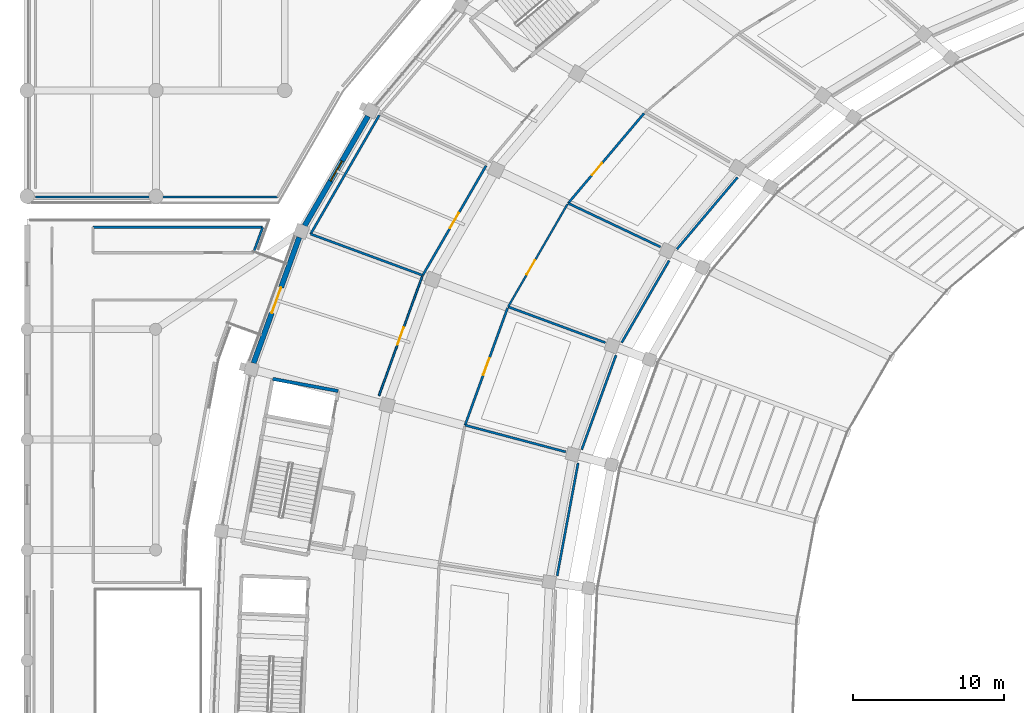
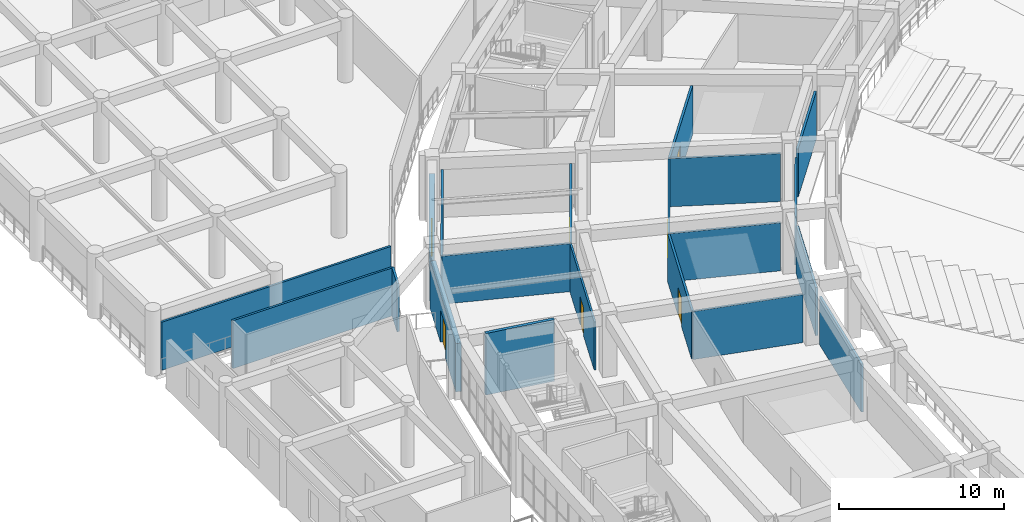
# One storey, part 101 of 152: 20 walls, 6 doors, 1 window, 7 openings.
"""IFC4 building model written with IfcOpenShell, lengths in metres."""

from ifc_helpers import new_model, si_unit, direction, frame, frame_2d, origin, place, context, subcontext, project, spatial, rectangle, extrude, material, layer, layer_set, type_object, element, fill, save


model = new_model("IFC4")

# Units and contexts
model_context = context("Model", 3, precision=1e-05, world=origin(), true_north=direction((0.0, 1.0)))
body_context = subcontext(model_context, "Body", "Model", "MODEL_VIEW")
ifc_project = project(units=[si_unit("LENGTHUNIT", "METRE"), si_unit("AREAUNIT", "SQUARE_METRE"), si_unit("VOLUMEUNIT", "CUBIC_METRE"), si_unit("PLANEANGLEUNIT", "RADIAN"), si_unit("MASSUNIT", "GRAM", prefix="KILO")], contexts=[model_context])

# Site, building, storey
site_placement = place(None, origin())
site = spatial("IfcSite", under=ifc_project, at=site_placement, CompositionType="ELEMENT")
building_placement = place(site_placement, origin())
building = spatial("IfcBuilding", under=site, at=building_placement, Name="Mphavela Belvedere Stadium", CompositionType="ELEMENT")
storey_placement = place(building_placement, frame((0.0, 0.0, 5.39990234375)))
storey = spatial("IfcBuildingStorey", under=building, at=storey_placement, Name="L01", CompositionType="ELEMENT", Elevation=5.39990234375)

# Wall
ifc_material_1 = material(Name="Concrete C40/50", Category="concrete")
ifc_layer_1 = layer(ifc_material_1, 0.219970703125)
ifc_layer_set_1 = layer_set([ifc_layer_1], Name="Concrete C40/50")
wall_type_1 = type_object("IfcWallType", Name="WAL-CORE-SHEAR-220", PredefinedType="SHEAR", material=ifc_layer_set_1)
wall_1_placement = place(storey_placement, frame((20.575927734375, 112.11474609375, 0.0), z_axis=(0.0, 0.0, 1.0), x_axis=(-0.983189729951, 0.18258684213, 0.0)))
element("IfcWall", 1, at=wall_1_placement, inside=storey, type_object=wall_type_1, Name="Core C06 shear wall L01 right", PredefinedType="SHEAR", context=body_context, shape_type="SweptSolid", body=[
    extrude(rectangle(XDim=4.409912109375, YDim=0.219970703125, at=frame_2d((2.205078125, 0.0))), origin(), (0.0, 0.0, 1.0), 4.550048828125),
])

# Wall, opening, window
ifc_material_2 = material(Name="Honed ashlar limestone masonry", Category="masonry")
ifc_layer_2 = layer(ifc_material_2, 0.35009765625)
ifc_layer_set_2 = layer_set([ifc_layer_2], Name="Honed ashlar limestone masonry")
wall_type_2 = type_object("IfcWallType", Name="WAL-EXT-ASHLAR-350", PredefinedType="STANDARD", material=ifc_layer_set_2)
wall_2_placement = place(storey_placement, frame((22.5458984375, 130.29541015625, 0.0), z_axis=(0.0, 0.0, 1.0), x_axis=(-0.500557937356, -0.865703038778, 0.0)))
wall_2 = element("IfcWall", 2, at=wall_2_placement, inside=storey, type_object=wall_type_2, Name="Classical ashlar facade wall L01-21", PredefinedType="STANDARD", context=body_context, shape_type="SweptSolid", body=[
    extrude(rectangle(XDim=8.37109375, YDim=0.35009765625, at=frame_2d((4.185546875, 0.0))), origin(), (0.0, 0.0, 1.0), 3.570068359375),
])
opening_1_placement = place(wall_2_placement, frame((3.425537109375, 0.0, 0.89990234375)))
opening_1 = element("IfcOpeningElement", 3, at=opening_1_placement, cuts=wall_2, Name="Opening W-015", PredefinedType="OPENING", context=body_context, shape_type="SweptSolid", body=[
    extrude(rectangle(XDim=1.52001953125, YDim=1.75, at=frame_2d((0.760009765625, 0.875))), frame((0.0, 0.18505859375, 0.0), z_axis=(0.0, -1.0, 0.0), x_axis=(1.0, 0.0, 0.0)), (0.0, 0.0, 1.0), 0.3701171875),
])
ifc_material_3 = material(Name="Bronze-anodised thermally broken aluminium window", Category="aluminium")
window_type = type_object("IfcWindowType", Name="WIN-EXT-15", PartitioningType="SINGLE_PANEL", PredefinedType="WINDOW", material=ifc_material_3)
window_placement = place(opening_1_placement, origin())
window = element("IfcWindow", 4, at=window_placement, inside=storey, type_object=window_type, Name="Belvedere gallery window W-015", OverallHeight=1.75, OverallWidth=1.52001953125, PartitioningType="SINGLE_PANEL", PredefinedType="WINDOW", context=body_context, shape_type="SweptSolid", body=[
    extrude(rectangle(XDim=1.52001953125, YDim=1.75, at=frame_2d((0.760009765625, 0.875))), frame((0.0, 0.030029296875, 0.0), z_axis=(0.0, -1.0, 0.0), x_axis=(1.0, 0.0, 0.0)), (0.0, 0.0, 1.0), 0.06005859375),
])
fill(opening_1, window)

# Wall, opening, door
wall_3_placement = place(storey_placement, frame((14.979736328125, 113.960205078125, 0.0), z_axis=(0.0, 0.0, 1.0), x_axis=(0.341014666885, 0.940057975324, 0.0)))
wall_3 = element("IfcWall", 5, at=wall_3_placement, inside=storey, type_object=wall_type_2, Name="Classical link portal wall L01-22", PredefinedType="STANDARD", context=body_context, shape_type="SweptSolid", body=[
    extrude(rectangle(XDim=8.855224609375, YDim=0.35009765625, at=frame_2d((4.427734375, 0.0))), origin(), (0.0, 0.0, 1.0), 3.570068359375),
])
opening_2_placement = place(wall_3_placement, frame((3.527587890625, 0.0, 0.0)))
opening_2 = element("IfcOpeningElement", 6, at=opening_2_placement, cuts=wall_3, Name="Opening ID-9121", PredefinedType="OPENING", context=body_context, shape_type="SweptSolid", body=[
    extrude(rectangle(XDim=1.800048828125, YDim=2.39990234375, at=frame_2d((0.89990234375, 1.199951171875))), frame((0.0, 0.18505859375, 0.0), z_axis=(0.0, -1.0, 0.0), x_axis=(1.0, 0.0, 0.0)), (0.0, 0.0, 1.0), 0.3701171875),
])
ifc_material_4 = material(Name="Glazed bronze-anodised steel exit doorset", Category="steel")
door_type_1 = type_object("IfcDoorType", Name="DR-EXT-01", OperationType="NOTDEFINED", PredefinedType="DOOR", material=ifc_material_4)
door_1_placement = place(opening_2_placement, origin())
door_1 = element("IfcDoor", 7, at=door_1_placement, inside=storey, type_object=door_type_1, Name="Wing promenade link doorset L01-22", OperationType="DOUBLE_DOOR_SINGLE_SWING", OverallHeight=2.39990234375, OverallWidth=1.800048828125, PredefinedType="DOOR", context=body_context, shape_type="SweptSolid", body=[
    extrude(rectangle(XDim=1.800048828125, YDim=2.39990234375, at=frame_2d((0.89990234375, 1.199951171875))), frame((0.0, 0.02490234375, 0.0), z_axis=(0.0, -1.0, 0.0), x_axis=(1.0, 0.0, 0.0)), (0.0, 0.0, 1.0), 0.050048828125),
])
fill(opening_2, door_1)

ifc_material_5 = material(Name="Moisture-resistant sanitary partition assembly")
ifc_layer_3 = layer(ifc_material_5, 0.125)
ifc_layer_set_3 = layer_set([ifc_layer_3], Name="Moisture-resistant sanitary partition assembly")
wall_type_3 = type_object("IfcWallType", Name="WAL-PART-125", PredefinedType="PARTITIONING", material=ifc_layer_set_3)
wall_4_placement = place(storey_placement, frame((31.81689453125, 117.687744140625, 0.0), z_axis=(0.0, 0.0, 1.0), x_axis=(0.500584301803, 0.865687794063, 0.0)))
wall_4 = element("IfcWall", 8, at=wall_4_placement, inside=storey, type_object=wall_type_3, Name="Room L01-86 corridor partition", PredefinedType="PARTITIONING", context=body_context, shape_type="SweptSolid", body=[
    extrude(rectangle(XDim=7.8369140625, YDim=0.125, at=frame_2d((3.91845703125, 0.0))), origin(), (0.0, 0.0, 1.0), 3.550048828125),
])
opening_3_placement = place(wall_4_placement, frame((2.4541015625, 0.0, 0.0)))
opening_3 = element("IfcOpeningElement", 9, at=opening_3_placement, cuts=wall_4, Name="Opening ID-114", PredefinedType="OPENING", context=body_context, shape_type="SweptSolid", body=[
    extrude(rectangle(XDim=1.10009765625, YDim=2.10009765625, at=frame_2d((0.550048828125, 1.050048828125))), frame((0.0, 0.072509765625, 0.0), z_axis=(0.0, -1.0, 0.0), x_axis=(1.0, 0.0, 0.0)), (0.0, 0.0, 1.0), 0.14501953125),
])
ifc_material_6 = material(Name="Hardwood acoustic timber doorset", Category="wood")
door_type_2 = type_object("IfcDoorType", Name="DR-INT-06", OperationType="NOTDEFINED", PredefinedType="DOOR", material=ifc_material_6)
door_2_placement = place(opening_3_placement, origin())
door_2 = element("IfcDoor", 10, at=door_2_placement, inside=storey, type_object=door_type_2, Name="Room L01-86 entrance door ID-114", OperationType="SINGLE_SWING_RIGHT", OverallHeight=2.10009765625, OverallWidth=1.10009765625, PredefinedType="DOOR", context=body_context, shape_type="SweptSolid", body=[
    extrude(rectangle(XDim=1.10009765625, YDim=2.10009765625, at=frame_2d((0.550048828125, 1.050048828125))), frame((0.0, 0.02490234375, 0.0), z_axis=(0.0, -1.0, 0.0), x_axis=(1.0, 0.0, 0.0)), (0.0, 0.0, 1.0), 0.050048828125),
])
fill(opening_3, door_2)

wall_5_placement = place(storey_placement, frame((26.133544921875, 119.6962890625, 0.0), z_axis=(0.0, 0.0, 1.0), x_axis=(-0.341044550343, -0.940047134287, 0.0)))
wall_5 = element("IfcWall", 11, at=wall_5_placement, inside=storey, type_object=wall_type_3, Name="Room L01-90 corridor partition", PredefinedType="PARTITIONING", context=body_context, shape_type="SweptSolid", body=[
    extrude(rectangle(XDim=8.39208984375, YDim=0.125, at=frame_2d((4.196044921875, 0.0))), origin(), (0.0, 0.0, 1.0), 3.550048828125),
])
opening_4_placement = place(wall_5_placement, frame((3.5859375, 0.0, 0.0)))
opening_4 = element("IfcOpeningElement", 12, at=opening_4_placement, cuts=wall_5, Name="Opening ID-117", PredefinedType="OPENING", context=body_context, shape_type="SweptSolid", body=[
    extrude(rectangle(XDim=1.219970703125, YDim=2.10009765625, at=frame_2d((0.60986328125, 1.050048828125))), frame((0.0, 0.072509765625, 0.0), z_axis=(0.0, -1.0, 0.0), x_axis=(1.0, 0.0, 0.0)), (0.0, 0.0, 1.0), 0.14501953125),
])
ifc_material_7 = material(Name="Hardwood acoustic timber doorset", Category="wood")
door_type_3 = type_object("IfcDoorType", Name="DR-INT-09", OperationType="NOTDEFINED", PredefinedType="DOOR", material=ifc_material_7)
door_3_placement = place(opening_4_placement, origin())
door_3 = element("IfcDoor", 13, at=door_3_placement, inside=storey, type_object=door_type_3, Name="Room L01-90 entrance door ID-117", OperationType="SINGLE_SWING_LEFT", OverallHeight=2.10009765625, OverallWidth=1.219970703125, PredefinedType="DOOR", context=body_context, shape_type="SweptSolid", body=[
    extrude(rectangle(XDim=1.219970703125, YDim=2.10009765625, at=frame_2d((0.60986328125, 1.050048828125))), frame((0.0, 0.02490234375, 0.0), z_axis=(0.0, -1.0, 0.0), x_axis=(1.0, 0.0, 0.0)), (0.0, 0.0, 1.0), 0.050048828125),
])
fill(opening_4, door_3)

ifc_material_8 = material(Name="Acoustic gypsum stud partition assembly")
ifc_layer_4 = layer(ifc_material_8, 0.14990234375)
ifc_layer_set_4 = layer_set([ifc_layer_4], Name="Acoustic gypsum stud partition assembly")
wall_type_4 = type_object("IfcWallType", Name="WAL-PART-150", PredefinedType="PARTITIONING", material=ifc_layer_set_4)
wall_6_placement = place(storey_placement, frame((35.787841796875, 124.5380859375, 0.0), z_axis=(0.0, 0.0, 1.0), x_axis=(0.645180817826, 0.764029915847, 0.0)))
wall_6 = element("IfcWall", 14, at=wall_6_placement, inside=storey, type_object=wall_type_4, Name="Room L01-83 corridor partition", PredefinedType="PARTITIONING", context=body_context, shape_type="SweptSolid", body=[
    extrude(rectangle(XDim=7.779296875, YDim=0.14990234375, at=frame_2d((3.8896484375, 0.0))), origin(), (0.0, 0.0, 1.0), 3.550048828125),
])
opening_5_placement = place(wall_6_placement, frame((2.4619140625, 0.0, 0.0)))
opening_5 = element("IfcOpeningElement", 15, at=opening_5_placement, cuts=wall_6, Name="Opening ID-112", PredefinedType="OPENING", context=body_context, shape_type="SweptSolid", body=[
    extrude(rectangle(XDim=1.02001953125, YDim=2.10009765625, at=frame_2d((0.510009765625, 1.050048828125))), frame((0.0, 0.0849609375, 0.0), z_axis=(0.0, -1.0, 0.0), x_axis=(1.0, 0.0, 0.0)), (0.0, 0.0, 1.0), 0.169921875),
])
ifc_material_9 = material(Name="Hardwood acoustic timber doorset", Category="wood")
door_type_4 = type_object("IfcDoorType", Name="DR-INT-04", OperationType="NOTDEFINED", PredefinedType="DOOR", material=ifc_material_9)
door_4_placement = place(opening_5_placement, origin())
door_4 = element("IfcDoor", 16, at=door_4_placement, inside=storey, type_object=door_type_4, Name="Room L01-83 entrance door ID-112", OperationType="SINGLE_SWING_RIGHT", OverallHeight=2.10009765625, OverallWidth=1.02001953125, PredefinedType="DOOR", context=body_context, shape_type="SweptSolid", body=[
    extrude(rectangle(XDim=1.02001953125, YDim=2.10009765625, at=frame_2d((0.510009765625, 1.050048828125))), frame((0.0, 0.02490234375, 0.0), z_axis=(0.0, -1.0, 0.0), x_axis=(1.0, 0.0, 0.0)), (0.0, 0.0, 1.0), 0.050048828125),
])
fill(opening_5, door_4)

wall_7_placement = place(storey_placement, frame((30.35888671875, 127.01904296875, 0.0), z_axis=(0.0, 0.0, 1.0), x_axis=(-0.500559280672, -0.865702262059, 0.0)))
wall_7 = element("IfcWall", 17, at=wall_7_placement, inside=storey, type_object=wall_type_4, Name="Room L01-87 corridor partition", PredefinedType="PARTITIONING", context=body_context, shape_type="SweptSolid", body=[
    extrude(rectangle(XDim=8.37451171875, YDim=0.14990234375, at=frame_2d((4.187255859375, 0.0))), origin(), (0.0, 0.0, 1.0), 3.550048828125),
])
opening_6_placement = place(wall_7_placement, frame((3.6171875, 0.0, 0.0)))
opening_6 = element("IfcOpeningElement", 18, at=opening_6_placement, cuts=wall_7, Name="Opening ID-115", PredefinedType="OPENING", context=body_context, shape_type="SweptSolid", body=[
    extrude(rectangle(XDim=1.139892578125, YDim=2.10009765625, at=frame_2d((0.56982421875, 1.050048828125))), frame((0.0, 0.0849609375, 0.0), z_axis=(0.0, -1.0, 0.0), x_axis=(1.0, 0.0, 0.0)), (0.0, 0.0, 1.0), 0.169921875),
])
ifc_material_10 = material(Name="Hardwood acoustic timber doorset", Category="wood")
door_type_5 = type_object("IfcDoorType", Name="DR-INT-07", OperationType="NOTDEFINED", PredefinedType="DOOR", material=ifc_material_10)
door_5_placement = place(opening_6_placement, origin())
door_5 = element("IfcDoor", 19, at=door_5_placement, inside=storey, type_object=door_type_5, Name="Room L01-87 entrance door ID-115", OperationType="SINGLE_SWING_LEFT", OverallHeight=2.10009765625, OverallWidth=1.139892578125, PredefinedType="DOOR", context=body_context, shape_type="SweptSolid", body=[
    extrude(rectangle(XDim=1.139892578125, YDim=2.10009765625, at=frame_2d((0.56982421875, 1.050048828125))), frame((0.0, 0.02490234375, 0.0), z_axis=(0.0, -1.0, 0.0), x_axis=(1.0, 0.0, 0.0)), (0.0, 0.0, 1.0), 0.050048828125),
])
fill(opening_6, door_5)

wall_8_placement = place(storey_placement, frame((28.967529296875, 109.856201171875, 0.0), z_axis=(0.0, 0.0, 1.0), x_axis=(0.341044733968, 0.940047067669, 0.0)))
wall_8 = element("IfcWall", 20, at=wall_8_placement, inside=storey, type_object=wall_type_4, Name="Room L01-89 corridor partition", PredefinedType="PARTITIONING", context=body_context, shape_type="SweptSolid", body=[
    extrude(rectangle(XDim=8.25390625, YDim=0.14990234375, at=frame_2d((4.126953125, 0.0))), origin(), (0.0, 0.0, 1.0), 3.550048828125),
])
opening_7_placement = place(wall_8_placement, frame((3.536865234375, 0.0, 0.0)))
opening_7 = element("IfcOpeningElement", 21, at=opening_7_placement, cuts=wall_8, Name="Opening ID-116", PredefinedType="OPENING", context=body_context, shape_type="SweptSolid", body=[
    extrude(rectangle(XDim=1.179931640625, YDim=2.10009765625, at=frame_2d((0.58984375, 1.050048828125))), frame((0.0, 0.0849609375, 0.0), z_axis=(0.0, -1.0, 0.0), x_axis=(1.0, 0.0, 0.0)), (0.0, 0.0, 1.0), 0.169921875),
])
ifc_material_11 = material(Name="Hardwood acoustic timber doorset", Category="wood")
door_type_6 = type_object("IfcDoorType", Name="DR-INT-08", OperationType="NOTDEFINED", PredefinedType="DOOR", material=ifc_material_11)
door_6_placement = place(opening_7_placement, origin())
door_6 = element("IfcDoor", 22, at=door_6_placement, inside=storey, type_object=door_type_6, Name="Room L01-89 entrance door ID-116", OperationType="SINGLE_SWING_RIGHT", OverallHeight=2.10009765625, OverallWidth=1.179931640625, PredefinedType="DOOR", context=body_context, shape_type="SweptSolid", body=[
    extrude(rectangle(XDim=1.179931640625, YDim=2.10009765625, at=frame_2d((0.58984375, 1.050048828125))), frame((0.0, 0.02490234375, 0.0), z_axis=(0.0, -1.0, 0.0), x_axis=(1.0, 0.0, 0.0)), (0.0, 0.0, 1.0), 0.050048828125),
])
fill(opening_7, door_6)

# Walls
wall_9_placement = place(storey_placement, frame((46.990478515625, 126.2451171875, 0.0), z_axis=(0.0, 0.0, 1.0), x_axis=(-0.645148682175, -0.764057051462, 0.0)))
element("IfcWall", 23, at=wall_9_placement, inside=storey, type_object=wall_type_4, Name="Room divider partition L01-0197", PredefinedType="PARTITIONING", context=body_context, shape_type="SweptSolid", body=[
    extrude(rectangle(XDim=6.208740234375, YDim=0.14990234375, at=frame_2d((3.1044921875, 0.0))), origin(), (0.0, 0.0, 1.0), 3.550048828125),
])
wall_10_placement = place(storey_placement, frame((41.902587890625, 121.643798828125, 0.0), z_axis=(0.0, 0.0, 1.0), x_axis=(-0.903861986309, 0.427824157458, 0.0)))
element("IfcWall", 24, at=wall_10_placement, inside=storey, type_object=wall_type_4, Name="Room divider partition L01-0198", PredefinedType="PARTITIONING", context=body_context, shape_type="SweptSolid", body=[
    extrude(rectangle(XDim=6.76513671875, YDim=0.14990234375, at=frame_2d((3.382568359375, 0.0))), origin(), (0.0, 0.0, 1.0), 3.550048828125),
])
wall_11_placement = place(storey_placement, frame((42.4677734375, 120.74072265625, 0.0), z_axis=(0.0, 0.0, 1.0), x_axis=(-0.500550442763, -0.865707372182, 0.0)))
element("IfcWall", 25, at=wall_11_placement, inside=storey, type_object=wall_type_4, Name="Room divider partition L01-0201", PredefinedType="PARTITIONING", context=body_context, shape_type="SweptSolid", body=[
    extrude(rectangle(XDim=6.2607421875, YDim=0.14990234375, at=frame_2d((3.13037109375, 0.0))), origin(), (0.0, 0.0, 1.0), 3.550048828125),
])
wall_12_placement = place(storey_placement, frame((38.247802734375, 115.318603515625, 0.0), z_axis=(0.0, 0.0, 1.0), x_axis=(-0.938349806846, 0.345687199637, 0.0)))
element("IfcWall", 26, at=wall_12_placement, inside=storey, type_object=wall_type_4, Name="Room divider partition L01-0202", PredefinedType="PARTITIONING", context=body_context, shape_type="SweptSolid", body=[
    extrude(rectangle(XDim=6.853515625, YDim=0.14990234375, at=frame_2d((3.4267578125, 0.0))), origin(), (0.0, 0.0, 1.0), 3.550048828125),
])
wall_13_placement = place(storey_placement, frame((26.1669921875, 119.769287109375, 0.0), z_axis=(0.0, 0.0, 1.0), x_axis=(-0.938352081903, 0.34568102405, 0.0)))
element("IfcWall", 27, at=wall_13_placement, inside=storey, type_object=wall_type_4, Name="Room divider partition L01-0203", PredefinedType="PARTITIONING", context=body_context, shape_type="SweptSolid", body=[
    extrude(rectangle(XDim=7.90380859375, YDim=0.14990234375, at=frame_2d((3.951904296875, 0.0))), origin(), (0.0, 0.0, 1.0), 3.550048828125),
])
wall_14_placement = place(storey_placement, frame((18.75048828125, 122.50146484375, 0.0), z_axis=(0.0, 0.0, 1.0), x_axis=(0.500574107164, 0.865693689036, 0.0)))
element("IfcWall", 28, at=wall_14_placement, inside=storey, type_object=wall_type_4, Name="Room divider partition L01-0204", PredefinedType="PARTITIONING", context=body_context, shape_type="SweptSolid", body=[
    extrude(rectangle(XDim=9.080322265625, YDim=0.14990234375, at=frame_2d((4.5400390625, 0.0))), origin(), (0.0, 0.0, 1.0), 3.550048828125),
])
wall_15_placement = place(storey_placement, frame((38.95263671875, 114.48583984375, 0.0), z_axis=(0.0, 0.0, 1.0), x_axis=(-0.341016974103, -0.940057138356, 0.0)))
element("IfcWall", 29, at=wall_15_placement, inside=storey, type_object=wall_type_4, Name="Room divider partition L01-0205", PredefinedType="PARTITIONING", context=body_context, shape_type="SweptSolid", body=[
    extrude(rectangle(XDim=6.642333984375, YDim=0.14990234375, at=frame_2d((3.3212890625, 0.0))), origin(), (0.0, 0.0, 1.0), 3.550048828125),
])
wall_16_placement = place(storey_placement, frame((35.623779296875, 108.091064453125, 0.0), z_axis=(0.0, 0.0, 1.0), x_axis=(-0.966590603806, 0.256325193131, 0.0)))
element("IfcWall", 30, at=wall_16_placement, inside=storey, type_object=wall_type_4, Name="Room divider partition L01-0206", PredefinedType="PARTITIONING", context=body_context, shape_type="SweptSolid", body=[
    extrude(rectangle(XDim=6.88623046875, YDim=0.14990234375, at=frame_2d((3.443115234375, 0.0))), origin(), (0.0, 0.0, 1.0), 3.550048828125),
])
wall_17_placement = place(storey_placement, frame((36.4453125, 107.350830078125, 0.0), z_axis=(0.0, 0.0, 1.0), x_axis=(-0.182619301082, -0.983183701488, 0.0)))
element("IfcWall", 31, at=wall_17_placement, inside=storey, type_object=wall_type_4, Name="Room divider partition L01-0207", PredefinedType="PARTITIONING", context=body_context, shape_type="SweptSolid", body=[
    extrude(rectangle(XDim=7.5869140625, YDim=0.14990234375, at=frame_2d((3.79345703125, 0.0))), origin(), (0.0, 0.0, 1.0), 3.550048828125),
])
wall_18_placement = place(storey_placement, frame((16.5673828125, 124.949951171875, 0.0), z_axis=(0.0, 0.0, 1.0), x_axis=(-1.0, 0.0, 0.0)))
element("IfcWall", 32, at=wall_18_placement, inside=storey, type_object=wall_type_4, Name="Room divider partition L01-0944", PredefinedType="PARTITIONING", context=body_context, shape_type="SweptSolid", body=[
    extrude(rectangle(XDim=16.017333984375, YDim=0.14990234375, at=frame_2d((8.0087890625, 0.0))), origin(), (0.0, 0.0, 1.0), 3.550048828125),
])
wall_19_placement = place(storey_placement, frame((4.360107421875, 122.949951171875, 0.0), z_axis=(0.0, 0.0, 1.0), x_axis=(1.0, 0.0, 0.0)))
element("IfcWall", 33, at=wall_19_placement, inside=storey, type_object=wall_type_4, Name="Room divider partition L01-1165", PredefinedType="PARTITIONING", context=body_context, shape_type="SweptSolid", body=[
    extrude(rectangle(XDim=11.221435546875, YDim=0.14990234375, at=frame_2d((5.61083984375, 0.0))), origin(), (0.0, 0.0, 1.0), 3.550048828125),
])
wall_20_placement = place(storey_placement, frame((15.58154296875, 122.949951171875, 0.0), z_axis=(0.0, 0.0, 1.0), x_axis=(-0.341012375502, -0.940058806541, 0.0)))
element("IfcWall", 34, at=wall_20_placement, inside=storey, type_object=wall_type_4, Name="Room divider partition L01-1166", PredefinedType="PARTITIONING", context=body_context, shape_type="SweptSolid", body=[
    extrude(rectangle(XDim=1.797607421875, YDim=0.14990234375, at=frame_2d((0.89892578125, 0.0))), origin(), (0.0, 0.0, 1.0), 3.550048828125),
])

save(model, "model.ifc")
